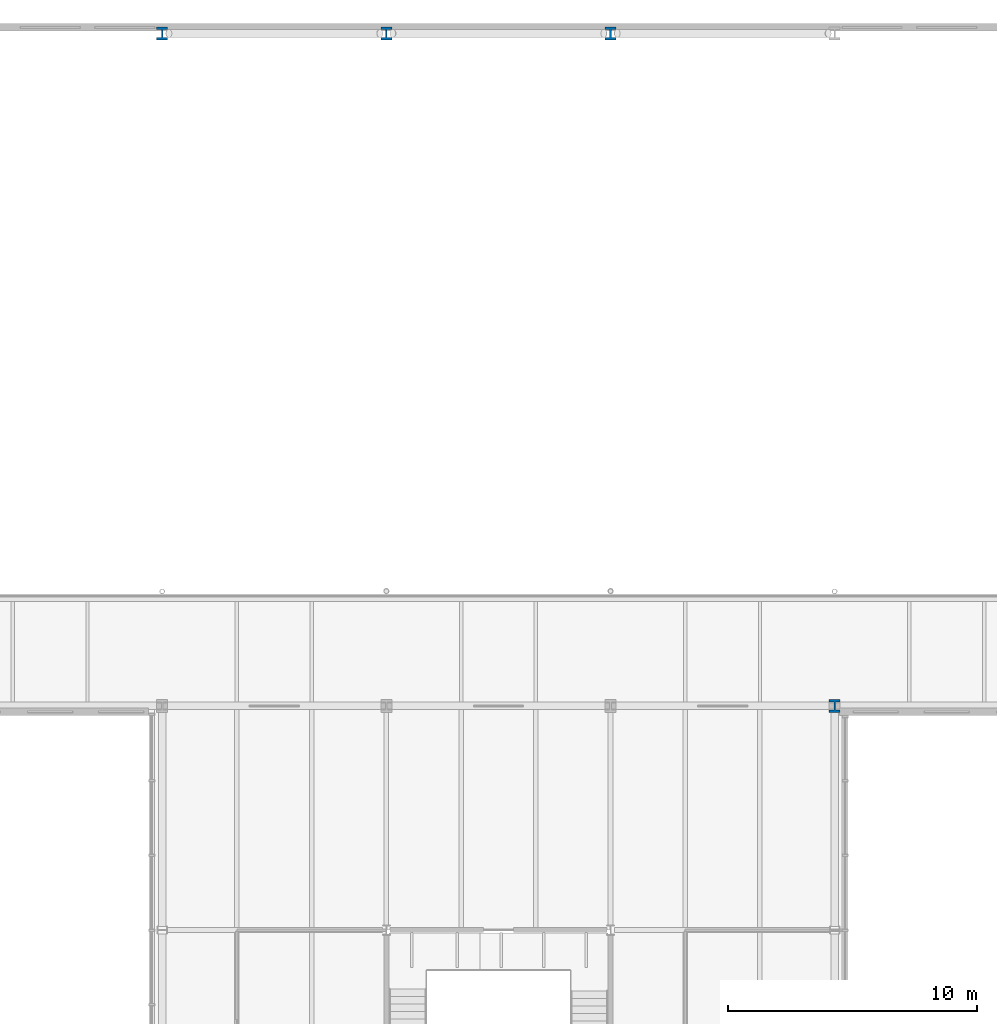
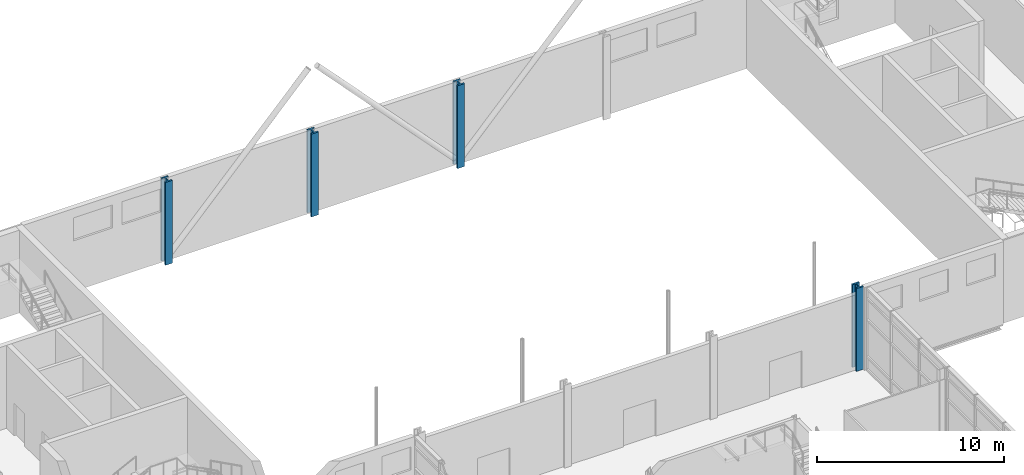
# One storey, part 5 of 56: 4 columns.
"""IFC4 building model written with IfcOpenShell, lengths in metres."""

from ifc_helpers import new_model, si_unit, direction, frame, origin, origin_2d, place, context, subcontext, project, spatial, i_section, extrude, material, material_profile, profile_set, type_object, element, save


model = new_model("IFC4")

# Units and contexts
model_context = context("Model", 3, precision=1e-05, world=origin(), true_north=direction((0.0, 1.0)))
body_context = subcontext(model_context, "Body", "Model", "MODEL_VIEW")
ifc_project = project(units=[si_unit("LENGTHUNIT", "METRE"), si_unit("AREAUNIT", "SQUARE_METRE"), si_unit("VOLUMEUNIT", "CUBIC_METRE"), si_unit("PLANEANGLEUNIT", "RADIAN"), si_unit("MASSUNIT", "GRAM", prefix="KILO")], contexts=[model_context])

# Site, building, storey
site_placement = place(None, origin())
site = spatial("IfcSite", under=ifc_project, at=site_placement, CompositionType="ELEMENT")
building_placement = place(site_placement, origin())
building = spatial("IfcBuilding", under=site, at=building_placement, Name="Azimuth Sports and Learning Centre", CompositionType="ELEMENT")
storey_placement = place(building_placement, frame((0.0, 0.0, 5.39990234375)))
storey = spatial("IfcBuildingStorey", under=building, at=storey_placement, Name="L01", CompositionType="ELEMENT", Elevation=5.39990234375)

# Columns
ifc_material = material(Name="Steel S460", Category="steel")
ifc_material_profile = material_profile(ifc_material, i_section(OverallWidth=0.44189453125, OverallDepth=0.531005859375, WebThickness=0.06591796875, FlangeThickness=0.10595703125, FilletRadius=0.014892578125, at=origin_2d()), Name="HD 400x900")
ifc_profile_set = profile_set([ifc_material_profile], Name="Steel S460")
column_type = type_object("IfcColumnType", Name="Column HD 400x900", PredefinedType="COLUMN", material=ifc_profile_set)
for number, where, z_axis, x_axis, name in (
    (1, (99.0, 90.0, 0.0), (0.0, 0.0, 1.0), (1.0, 0.0, 0.0), "Column 12L L01"),
    (2, (72.0, 117.0, 0.0), (0.0, 0.0, 1.0), (1.0, 0.0, 0.0), "Column 9P L01"),
    (3, (81.0, 117.0, 0.0), (0.0, 0.0, 1.0), (1.0, 0.0, 0.0), "Column 10P L01"),
    (4, (90.0, 117.0, 0.0), (0.0, 0.0, 1.0), (1.0, 0.0, 0.0), "Column 11P L01"),
):
    element("IfcColumn", number, at=place(storey_placement, frame(where, z_axis=z_axis, x_axis=x_axis)), inside=storey, type_object=column_type, Name=name, PredefinedType="COLUMN", context=body_context, shape_type="SweptSolid", body=[
        extrude(i_section(OverallWidth=0.44189453125, OverallDepth=0.531005859375, WebThickness=0.06591796875, FlangeThickness=0.10595703125, FilletRadius=0.014892578125, at=origin_2d()), origin(), (0.0, 0.0, 1.0), 5.400146484375),
    ])

save(model, "model.ifc")
